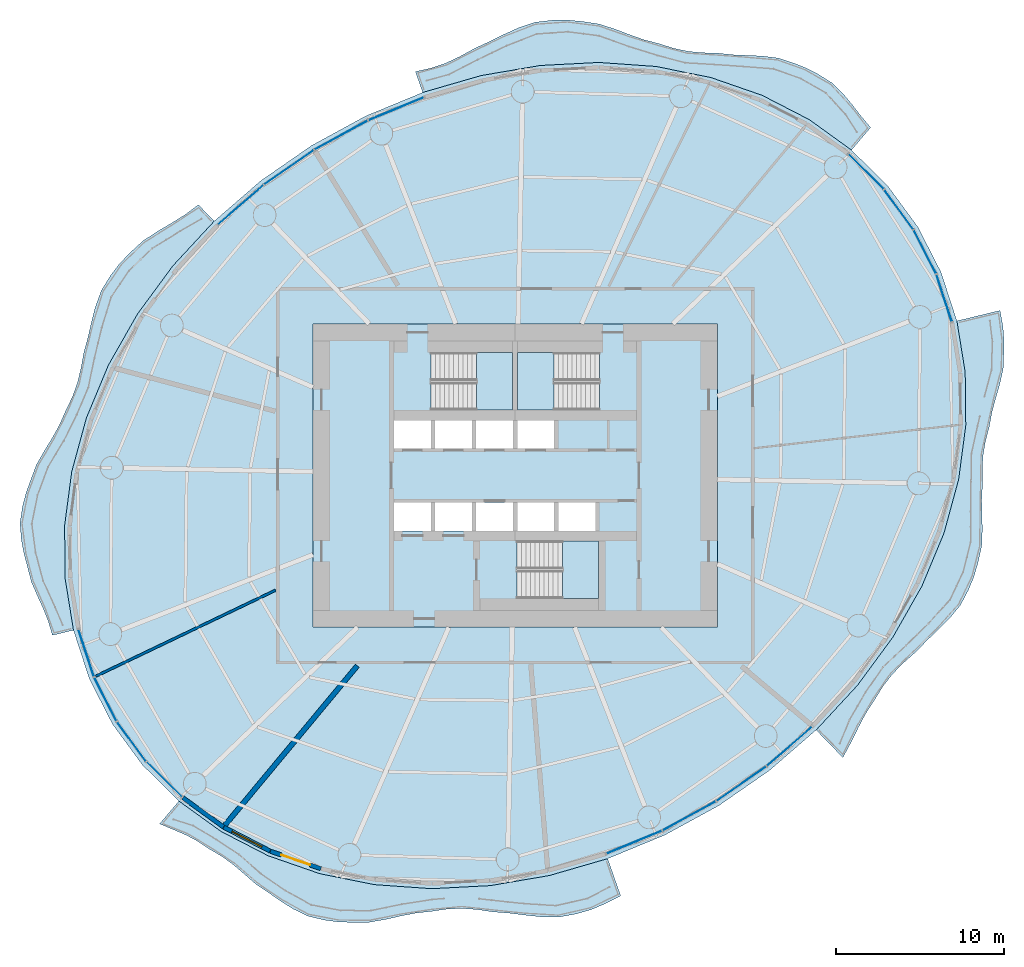
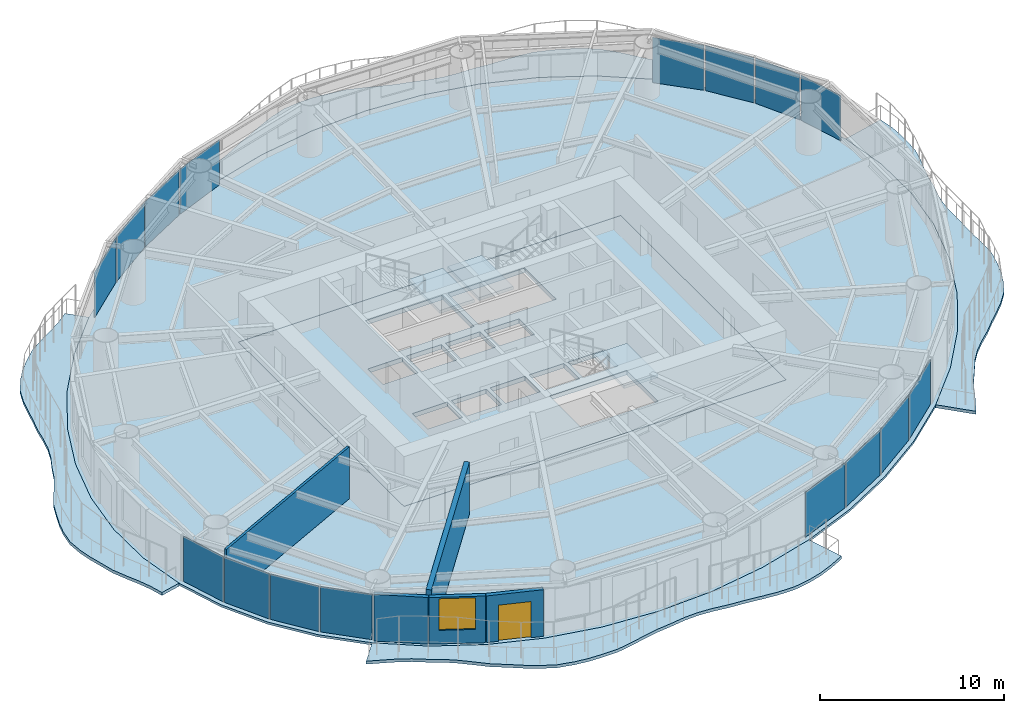
# One storey, part 7 of 15: 16 plates, 9 slabs, 5 walls, 1 door, 1 window, 2 openings, 19 elements without a shape of their own.
"""IFC4 building model written with IfcOpenShell, lengths in metres."""

from ifc_helpers import new_model, si_unit, direction, frame, frame_2d, origin, origin_2d, place, context, subcontext, project, spatial, polyline, rectangle, outline, extrude, material, layer, layer_set, type_object, element, fill, aggregate, save


model = new_model("IFC4")

# Units and contexts
model_context = context("Model", 3, precision=1e-05, world=origin(), true_north=direction((0.0, 1.0)))
body_context = subcontext(model_context, "Body", "Model", "MODEL_VIEW")
ifc_project = project(units=[si_unit("LENGTHUNIT", "METRE"), si_unit("AREAUNIT", "SQUARE_METRE"), si_unit("VOLUMEUNIT", "CUBIC_METRE"), si_unit("PLANEANGLEUNIT", "RADIAN"), si_unit("MASSUNIT", "GRAM", prefix="KILO")], contexts=[model_context])

# Site, building, storey
site_placement = place(None, origin())
site = spatial("IfcSite", under=ifc_project, at=site_placement, CompositionType="ELEMENT")
building_placement = place(site_placement, origin())
building = spatial("IfcBuilding", under=site, at=building_placement, Name="Vermilion Reach Broadcast Tower", CompositionType="ELEMENT")
storey_placement = place(building_placement, frame((0.0, 0.0, 161.39990234375)))
storey = spatial("IfcBuildingStorey", under=building, at=storey_placement, Name="L38", CompositionType="ELEMENT", Elevation=161.39990234375)

# Slabs
ifc_material_1 = material(Name="Concrete C40/50", Category="concrete")
ifc_layer_1 = layer(ifc_material_1, 0.199951171875)
ifc_layer_set_1 = layer_set([ifc_layer_1], Name="Balcony slab 200")
slab_type_1 = type_object("IfcSlabType", Name="Balcony slab 200", PredefinedType="FLOOR", material=ifc_layer_set_1)
placement_1 = place(storey_placement, frame((0.0, 0.0, -0.199951171875)))
element("IfcSlab", 1, at=placement_1, inside=storey, type_object=slab_type_1, Name="Balcony slab L38 group 1", PredefinedType="FLOOR", context=body_context, shape_type="SweptSolid", body=[
    extrude(outline(polyline([(13.969970703125, 19.327880859375), (11.466552734375, 21.134765625), (8.6640625, 22.579833984375), (5.61083984375, 23.638671875), (2.35888671875, 24.293212890625), (-1.0361328125, 24.531982421875), (-4.51611328125, 24.350830078125), (-8.021484375, 23.753173828125), (-11.4921875, 22.7490234375), (-11.926513671875, 23.990478515625), (-10.971923828125, 24.201171875), (-10.11669921875, 24.494873046875), (-9.289306640625, 24.88525390625), (-8.393310546875, 25.37646484375), (-7.46875, 25.80078125), (-6.63720703125, 26.212890625), (-5.799560546875, 26.58935546875), (-4.80126953125, 26.92236328125), (-3.78369140625, 27.041259765625), (-2.912109375, 27.052734375), (-2.035400390625, 26.969482421875), (-1.015380859375, 26.81689453125), (-0.044677734375, 26.501708984375), (0.785888671875, 26.184814453125), (1.6181640625, 25.8916015625), (2.5419921875, 25.6474609375), (3.421630859375, 25.37109375), (4.23291015625, 25.19873046875), (5.061767578125, 25.1142578125), (6.005859375, 25.08740234375), (6.9345703125, 24.990234375), (7.777099609375, 24.9541015625), (8.61962890625, 24.91748046875), (9.6142578125, 24.79638671875), (10.537109375, 24.4921875), (11.27490234375, 24.203125), (11.975830078125, 23.84228515625), (12.8095703125, 23.322021484375), (13.503662109375, 22.638671875), (14.0126953125, 22.02490234375), (14.50439453125, 21.387451171875), (15.10400390625, 20.66748046875), (13.969970703125, 19.327880859375)])), origin(), (0.0, 0.0, 1.0), 0.199951171875),
])
element("IfcSlab", 2, at=placement_1, inside=storey, type_object=slab_type_1, Name="Balcony slab L38 group 2", PredefinedType="FLOOR", context=body_context, shape_type="SweptSolid", body=[
    extrude(outline(polyline([(-23.87158203125, 15.109375), (-26.3251953125, 12.457275390625), (-28.43115234375, 9.59228515625), (-30.1533203125, 6.562744140625), (-31.462158203125, 3.421142578125), (-32.33544921875, 0.220947265625), (-32.758056640625, -2.98291015625), (-32.72265625, -6.1357421875), (-32.230224609375, -9.18359375), (-33.482177734375, -9.48681640625), (-33.728515625, -8.643798828125), (-34.020751953125, -7.9091796875), (-34.35595703125, -7.181640625), (-34.73388671875, -6.30859375), (-34.975830078125, -5.37255859375), (-35.181396484375, -4.586669921875), (-35.32958984375, -3.800048828125), (-35.406005859375, -2.82373046875), (-35.25830078125, -1.838134765625), (-35.052734375, -1.05029296875), (-34.7763671875, -0.27197265625), (-34.431884765625, 0.643310546875), (-33.933349609375, 1.5166015625), (-33.481201171875, 2.2529296875), (-33.06787109375, 2.999755859375), (-32.696533203125, 3.8447265625), (-32.288818359375, 4.6875), (-32.00146484375, 5.489501953125), (-31.796875, 6.325927734375), (-31.61962890625, 7.28173828125), (-31.3603515625, 8.251220703125), (-31.15869140625, 9.138671875), (-30.9326171875, 10.01220703125), (-30.5791015625, 10.9853515625), (-30.03466796875, 11.8740234375), (-29.495849609375, 12.581298828125), (-28.875732421875, 13.228759765625), (-28.111328125, 13.93212890625), (-27.219970703125, 14.515869140625), (-26.405517578125, 14.992919921875), (-25.6103515625, 15.487548828125), (-24.8115234375, 16.080078125), (-23.87158203125, 15.109375)])), origin(), (0.0, 0.0, 1.0), 0.199951171875),
])
element("IfcSlab", 3, at=placement_1, inside=storey, type_object=slab_type_1, Name="Balcony slab L38 group 3", PredefinedType="FLOOR", context=body_context, shape_type="SweptSolid", body=[
    extrude(outline(polyline([(-25.969970703125, -19.327880859375), (-23.466552734375, -21.134765625), (-20.6640625, -22.579833984375), (-17.61083984375, -23.638671875), (-14.35888671875, -24.293212890625), (-10.9638671875, -24.531982421875), (-7.48388671875, -24.350830078125), (-3.978515625, -23.753173828125), (-0.5078125, -22.7490234375), (0.2666015625, -24.962890625), (-0.671142578125, -25.434814453125), (-1.51025390625, -25.784912109375), (-2.37841796875, -26.03369140625), (-3.4130859375, -26.220947265625), (-4.46240234375, -26.204833984375), (-5.380615234375, -26.108154296875), (-6.30224609375, -25.991455078125), (-7.31103515625, -25.909912109375), (-8.2822265625, -25.7705078125), (-9.157958984375, -25.7080078125), (-10.028564453125, -25.74267578125), (-10.97607421875, -25.88037109375), (-11.9189453125, -25.984130859375), (-12.78369140625, -26.152587890625), (-13.650390625, -26.34912109375), (-14.660888671875, -26.5283203125), (-15.656005859375, -26.53662109375), (-16.49658203125, -26.509033203125), (-17.3203125, -26.399658203125), (-18.300048828125, -26.166748046875), (-19.192138671875, -25.7333984375), (-19.895263671875, -25.29443359375), (-20.58349609375, -24.813232421875), (-21.39013671875, -24.273681640625), (-22.103515625, -23.651123046875), (-22.71826171875, -23.123779296875), (-23.361572265625, -22.651123046875), (-24.12255859375, -22.203369140625), (-24.84228515625, -21.722412109375), (-25.530517578125, -21.35693359375), (-26.255615234375, -21.04248046875), (-27.11767578125, -20.683837890625), (-25.969970703125, -19.327880859375)])), origin(), (0.0, 0.0, 1.0), 0.199951171875),
])
element("IfcSlab", 4, at=placement_1, inside=storey, type_object=slab_type_1, Name="Balcony slab L38 group 4", PredefinedType="FLOOR", context=body_context, shape_type="SweptSolid", body=[
    extrude(outline(polyline([(11.87158203125, -15.109375), (14.3251953125, -12.457275390625), (16.43115234375, -9.59228515625), (18.1533203125, -6.562744140625), (19.462158203125, -3.421142578125), (20.33544921875, -0.220947265625), (20.758056640625, 2.98291015625), (20.72265625, 6.1357421875), (20.230224609375, 9.18359375), (22.794921875, 9.804443359375), (22.9658203125, 8.84375), (23.027099609375, 8.07177734375), (23.017822265625, 7.28857421875), (22.980224609375, 6.32958984375), (22.76123046875, 5.370361328125), (22.53076171875, 4.579345703125), (22.319091796875, 3.78857421875), (22.153076171875, 2.899169921875), (21.922607421875, 2.014404296875), (21.786865234375, 1.21728515625), (21.736328125, 0.4091796875), (21.75146484375, -0.50634765625), (21.703369140625, -1.453857421875), (21.71923828125, -2.31787109375), (21.742919921875, -3.183837890625), (21.703125, -4.190185546875), (21.48046875, -5.183837890625), (21.24169921875, -6.006103515625), (20.916748046875, -6.79248046875), (20.445068359375, -7.6865234375), (19.78271484375, -8.4912109375), (19.1455078125, -9.131103515625), (18.485595703125, -9.758056640625), (17.789306640625, -10.472900390625), (17.039306640625, -11.142333984375), (16.41015625, -11.783203125), (15.861083984375, -12.483154296875), (15.351318359375, -13.3046875), (14.812744140625, -14.138916015625), (14.375732421875, -14.96533203125), (13.96240234375, -15.813232421875), (13.45703125, -16.74658203125), (11.87158203125, -15.109375)])), origin(), (0.0, 0.0, 1.0), 0.199951171875),
])
ifc_material_2 = material(Name="Concrete C40", Category="concrete")
ifc_layer_2 = layer(ifc_material_2, 0.300048828125)
ifc_layer_set_2 = layer_set([ifc_layer_2], Name="Core floor slab 300 mm Concrete C40")
slab_type_2 = type_object("IfcSlabType", Name="Core floor slab 300 mm Concrete C40", PredefinedType="FLOOR", material=ifc_layer_set_2)
slab_5_placement = place(storey_placement, frame((0.0, 0.0, -0.2998046875)))
element("IfcSlab", 5, at=slab_5_placement, inside=storey, type_object=slab_type_2, Name="L38 core floor", PredefinedType="FLOOR", context=body_context, shape_type="SweptSolid", body=[
    extrude(outline(polyline([(-18.0, -9.0), (6.0, -9.0), (6.0, 9.0), (-18.0, 9.0), (-18.0, -9.0)]), holes=[polyline([(-13.199951171875, 1.60009765625), (-11.00830078125, 1.60009765625), (-11.00830078125, 3.280029296875), (-13.199951171875, 3.280029296875), (-13.199951171875, 1.60009765625)]), polyline([(-10.75830078125, 1.60009765625), (-8.566650390625, 1.60009765625), (-8.566650390625, 3.280029296875), (-10.75830078125, 3.280029296875), (-10.75830078125, 1.60009765625)]), polyline([(-8.316650390625, 1.60009765625), (-6.125, 1.60009765625), (-6.125, 3.280029296875), (-8.316650390625, 3.280029296875), (-8.316650390625, 1.60009765625)]), polyline([(-5.875, 1.60009765625), (-3.683349609375, 1.60009765625), (-3.683349609375, 3.280029296875), (-5.875, 3.280029296875), (-5.875, 1.60009765625)]), polyline([(-13.199951171875, -3.280029296875), (-11.00830078125, -3.280029296875), (-11.00830078125, -1.60009765625), (-13.199951171875, -1.60009765625), (-13.199951171875, -3.280029296875)]), polyline([(-10.75830078125, -3.280029296875), (-8.566650390625, -3.280029296875), (-8.566650390625, -1.60009765625), (-10.75830078125, -1.60009765625), (-10.75830078125, -3.280029296875)]), polyline([(-8.316650390625, -3.280029296875), (-6.125, -3.280029296875), (-6.125, -1.60009765625), (-8.316650390625, -1.60009765625), (-8.316650390625, -3.280029296875)]), polyline([(-5.875, -3.280029296875), (-3.683349609375, -3.280029296875), (-3.683349609375, -1.60009765625), (-5.875, -1.60009765625), (-5.875, -3.280029296875)]), polyline([(-3.433349609375, -3.280029296875), (-1.24169921875, -3.280029296875), (-1.24169921875, -1.60009765625), (-3.433349609375, -1.60009765625), (-3.433349609375, -3.280029296875)]), polyline([(-10.999267578125, 3.8798828125), (-6.14990234375, 3.8798828125), (-6.14990234375, 7.300048828125), (-10.999267578125, 7.300048828125), (-10.999267578125, 3.8798828125)]), polyline([(-1.000732421875, 7.300048828125), (-5.85009765625, 7.300048828125), (-5.85009765625, 3.8798828125), (-1.000732421875, 3.8798828125), (-1.000732421875, 7.300048828125)]), polyline([(-5.8994140625, -7.300048828125), (-1.050048828125, -7.300048828125), (-1.050048828125, -3.8798828125), (-5.8994140625, -3.8798828125), (-5.8994140625, -7.300048828125)])]), origin(), (0.0, 0.0, 1.0), 0.2998046875),
])

# Stair, slab
ifc_material_3 = material(Name="Concrete C40", Category="concrete")
stair_type = type_object("IfcStairType", Name="Exit stair RC 22 risers 164 mm", PredefinedType="HALF_TURN_STAIR", material=ifc_material_3)
placement_2 = place(storey_placement, origin())
stair_1 = element("IfcStair", 6, at=placement_2, inside=storey, type_object=stair_type, Name="L38 Exit stair ST1", PredefinedType="HALF_TURN_STAIR")
ifc_material_4 = material(Name="Concrete C40", Category="concrete")
ifc_layer_3 = layer(ifc_material_4, 0.199951171875)
ifc_layer_set_3 = layer_set([ifc_layer_3], Name="Exit stair landing Concrete C40")
slab_type_3 = type_object("IfcSlabType", Name="Exit stair landing Concrete C40", PredefinedType="LANDING", material=ifc_layer_set_3)
placement_3 = place(storey_placement, frame((0.0, 0.0, 1.60009765625)))
slab_6 = element("IfcSlab", 7, at=placement_3, type_object=slab_type_3, Name="ST1 landing 1", PredefinedType="LANDING", context=body_context, shape_type="SweptSolid", body=[
    extrude(outline(polyline([(-8.300048828125, 3.8798828125), (-6.14990234375, 3.8798828125), (-6.14990234375, 7.300048828125), (-8.300048828125, 7.300048828125), (-8.300048828125, 3.8798828125)])), origin(), (0.0, 0.0, 1.0), 0.199951171875),
])
aggregate(stair_1, [slab_6])

stair_2 = element("IfcStair", 8, at=placement_2, inside=storey, type_object=stair_type, Name="L38 Exit stair ST2", PredefinedType="HALF_TURN_STAIR")
slab_7 = element("IfcSlab", 9, at=placement_3, type_object=slab_type_3, Name="ST2 landing 1", PredefinedType="LANDING", context=body_context, shape_type="SweptSolid", body=[
    extrude(outline(polyline([(-3.699951171875, 7.300048828125), (-5.85009765625, 7.300048828125), (-5.85009765625, 3.8798828125), (-3.699951171875, 3.8798828125), (-3.699951171875, 7.300048828125)])), origin(), (0.0, 0.0, 1.0), 0.199951171875),
])
aggregate(stair_2, [slab_7])

stair_3 = element("IfcStair", 10, at=placement_2, inside=storey, type_object=stair_type, Name="L38 Exit stair ST3", PredefinedType="HALF_TURN_STAIR")
slab_8 = element("IfcSlab", 11, at=placement_3, type_object=slab_type_3, Name="ST3 landing 1", PredefinedType="LANDING", context=body_context, shape_type="SweptSolid", body=[
    extrude(outline(polyline([(-3.199951171875, -7.300048828125), (-1.050048828125, -7.300048828125), (-1.050048828125, -3.8798828125), (-3.199951171875, -3.8798828125), (-3.199951171875, -7.300048828125)])), origin(), (0.0, 0.0, 1.0), 0.199951171875),
])
aggregate(stair_3, [slab_8])

# Slab
ifc_material_5 = material(Name="Concrete C40", Category="concrete")
ifc_layer_4 = layer(ifc_material_5, 0.14990234375)
ifc_layer_set_4 = layer_set([ifc_layer_4], Name="Floor slab Concrete C40 composite 150")
slab_type_4 = type_object("IfcSlabType", Name="Floor slab Concrete C40 composite 150", PredefinedType="FLOOR", material=ifc_layer_set_4)
slab_9_placement = place(storey_placement, frame((0.0, 0.0, -0.14990234375)))
element("IfcSlab", 12, at=slab_9_placement, inside=storey, type_object=slab_type_4, Name="Floor slab L38", PredefinedType="FLOOR", context=body_context, shape_type="SweptSolid", body=[
    extrude(outline(polyline([(17.9150390625, 14.7587890625), (16.1318359375, 17.1904296875), (13.969970703125, 19.327880859375), (11.466552734375, 21.134765625), (8.6640625, 22.579833984375), (5.61083984375, 23.638671875), (2.35888671875, 24.293212890625), (-1.0361328125, 24.531982421875), (-4.51611328125, 24.350830078125), (-8.021484375, 23.753173828125), (-11.4921875, 22.7490234375), (-14.868896484375, 21.355712890625), (-18.093994140625, 19.596923828125), (-21.112060546875, 17.5029296875), (-23.87158203125, 15.109375), (-26.3251953125, 12.457275390625), (-28.43115234375, 9.59228515625), (-30.1533203125, 6.562744140625), (-31.462158203125, 3.421142578125), (-32.33544921875, 0.220947265625), (-32.758056640625, -2.98291015625), (-32.72265625, -6.1357421875), (-32.230224609375, -9.18359375), (-31.2890625, -12.074462890625), (-29.9150390625, -14.7587890625), (-28.1318359375, -17.1904296875), (-25.969970703125, -19.327880859375), (-23.466552734375, -21.134765625), (-20.6640625, -22.579833984375), (-17.61083984375, -23.638671875), (-14.35888671875, -24.293212890625), (-10.9638671875, -24.531982421875), (-7.48388671875, -24.350830078125), (-3.978515625, -23.753173828125), (-0.5078125, -22.7490234375), (2.868896484375, -21.355712890625), (6.093994140625, -19.596923828125), (9.112060546875, -17.5029296875), (11.87158203125, -15.109375), (14.3251953125, -12.457275390625), (16.43115234375, -9.59228515625), (18.1533203125, -6.562744140625), (19.462158203125, -3.421142578125), (20.33544921875, -0.220947265625), (20.758056640625, 2.98291015625), (20.72265625, 6.1357421875), (20.230224609375, 9.18359375), (19.2890625, 12.074462890625), (17.9150390625, 14.7587890625)]), holes=[polyline([(-18.0, -9.0), (6.0, -9.0), (6.0, 9.0), (-18.0, 9.0), (-18.0, -9.0)])]), origin(), (0.0, 0.0, 1.0), 0.14990234375),
])

# Curtain wall, plate
ifc_material_6 = material(Name="Low-e laminated clear glass in aluminium frame", Category="aluminium")
curtain_wall_type = type_object("IfcCurtainWallType", Name="Slot curtain wall", PredefinedType="NOTDEFINED", material=ifc_material_6)
curtain_wall_1 = element("IfcCurtainWall", 13, at=placement_2, inside=storey, type_object=curtain_wall_type, Name="Slot curtain wall L38 46", PredefinedType="NOTDEFINED")
ifc_material_7 = material(Name="Low-e laminated clear glass", Category="glass")
ifc_layer_5 = layer(ifc_material_7, 0.028076171875)
ifc_layer_set_5 = layer_set([ifc_layer_5], Name="Slot glass panel")
plate_type = type_object("IfcPlateType", Name="Slot glass panel", PredefinedType="CURTAIN_PANEL", material=ifc_layer_set_5)
plate_1_placement = place(storey_placement, frame((19.475341796875, 10.536376953125, 0.0), z_axis=(0.0, 0.0, 1.0), x_axis=(-0.30960588569, 0.950864972299, 0.0)))
plate_1 = element("IfcPlate", 14, at=plate_1_placement, type_object=plate_type, Name="Slot glass panel L38 46", PredefinedType="CURTAIN_PANEL", context=body_context, shape_type="SweptSolid", body=[
    extrude(rectangle(XDim=2.9130859375, YDim=0.028076171875, at=origin_2d()), origin(), (0.0, 0.0, 1.0), 3.0),
])
aggregate(curtain_wall_1, [plate_1])

curtain_wall_2 = element("IfcCurtainWall", 15, at=placement_2, inside=storey, type_object=curtain_wall_type, Name="Slot curtain wall L38 47", PredefinedType="NOTDEFINED")
plate_2_placement = place(storey_placement, frame((18.3359375, 13.2802734375, 0.0), z_axis=(0.0, 0.0, 1.0), x_axis=(-0.45564994908, 0.890159044162, 0.0)))
plate_2 = element("IfcPlate", 16, at=plate_2_placement, type_object=plate_type, Name="Slot glass panel L38 47", PredefinedType="CURTAIN_PANEL", context=body_context, shape_type="SweptSolid", body=[
    extrude(rectangle(XDim=2.8876953125, YDim=0.028076171875, at=origin_2d()), origin(), (0.0, 0.0, 1.0), 3.0),
])
aggregate(curtain_wall_2, [plate_2])

curtain_wall_3 = element("IfcCurtainWall", 17, at=placement_2, inside=storey, type_object=curtain_wall_type, Name="Slot curtain wall L38 00", PredefinedType="NOTDEFINED")
plate_3_placement = place(storey_placement, frame((16.7822265625, 15.797607421875, 0.0), z_axis=(0.0, 0.0, 1.0), x_axis=(-0.591355117726, 0.806411262781, 0.0)))
plate_3 = element("IfcPlate", 18, at=plate_3_placement, type_object=plate_type, Name="Slot glass panel L38 00", PredefinedType="CURTAIN_PANEL", context=body_context, shape_type="SweptSolid", body=[
    extrude(rectangle(XDim=2.8876953125, YDim=0.028076171875, at=origin_2d()), origin(), (0.0, 0.0, 1.0), 3.0),
])
aggregate(curtain_wall_3, [plate_3])

curtain_wall_4 = element("IfcCurtainWall", 19, at=placement_2, inside=storey, type_object=curtain_wall_type, Name="Slot curtain wall L38 01", PredefinedType="NOTDEFINED")
plate_4_placement = place(storey_placement, frame((14.840576171875, 18.046630859375, 0.0), z_axis=(0.0, 0.0, 1.0), x_axis=(-0.711100683979, 0.703090191401, 0.0)))
plate_4 = element("IfcPlate", 20, at=plate_4_placement, type_object=plate_type, Name="Slot glass panel L38 01", PredefinedType="CURTAIN_PANEL", context=body_context, shape_type="SweptSolid", body=[
    extrude(rectangle(XDim=2.9130859375, YDim=0.028076171875, at=origin_2d()), origin(), (0.0, 0.0, 1.0), 3.0),
])
aggregate(curtain_wall_4, [plate_4])

curtain_wall_5 = element("IfcCurtainWall", 21, at=placement_2, inside=storey, type_object=curtain_wall_type, Name="Slot curtain wall L38 10", PredefinedType="NOTDEFINED")
plate_5_placement = place(storey_placement, frame((-13.06640625, 21.775390625, 0.0), z_axis=(0.0, 0.0, 1.0), x_axis=(-0.924396667372, -0.381432564619, 0.0)))
plate_5 = element("IfcPlate", 22, at=plate_5_placement, type_object=plate_type, Name="Slot glass panel L38 10", PredefinedType="CURTAIN_PANEL", context=body_context, shape_type="SweptSolid", body=[
    extrude(rectangle(XDim=3.540283203125, YDim=0.028076171875, at=origin_2d()), origin(), (0.0, 0.0, 1.0), 3.0),
])
aggregate(curtain_wall_5, [plate_5])

curtain_wall_6 = element("IfcCurtainWall", 23, at=placement_2, inside=storey, type_object=curtain_wall_type, Name="Slot curtain wall L38 11", PredefinedType="NOTDEFINED")
plate_6_placement = place(storey_placement, frame((-16.337890625, 20.21337890625, 0.0), z_axis=(0.0, 0.0, 1.0), x_axis=(-0.877935505986, -0.478778912786, 0.0)))
plate_6 = element("IfcPlate", 24, at=plate_6_placement, type_object=plate_type, Name="Slot glass panel L38 11", PredefinedType="CURTAIN_PANEL", context=body_context, shape_type="SweptSolid", body=[
    extrude(rectangle(XDim=3.561279296875, YDim=0.028076171875, at=origin_2d()), origin(), (0.0, 0.0, 1.0), 3.0),
])
aggregate(curtain_wall_6, [plate_6])

curtain_wall_7 = element("IfcCurtainWall", 25, at=placement_2, inside=storey, type_object=curtain_wall_type, Name="Slot curtain wall L38 12", PredefinedType="NOTDEFINED")
plate_7_placement = place(storey_placement, frame((-19.43212890625, 18.303955078125, 0.0), z_axis=(0.0, 0.0, 1.0), x_axis=(-0.821603885198, -0.570058817867, 0.0)))
plate_7 = element("IfcPlate", 26, at=plate_7_placement, type_object=plate_type, Name="Slot glass panel L38 12", PredefinedType="CURTAIN_PANEL", context=body_context, shape_type="SweptSolid", body=[
    extrude(rectangle(XDim=3.561279296875, YDim=0.028076171875, at=origin_2d()), origin(), (0.0, 0.0, 1.0), 3.0),
])
aggregate(curtain_wall_7, [plate_7])

curtain_wall_8 = element("IfcCurtainWall", 27, at=placement_2, inside=storey, type_object=curtain_wall_type, Name="Slot curtain wall L38 13", PredefinedType="NOTDEFINED")
plate_8_placement = place(storey_placement, frame((-22.29541015625, 16.079833984375, 0.0), z_axis=(0.0, 0.0, 1.0), x_axis=(-0.75542425663, -0.655235982295, 0.0)))
plate_8 = element("IfcPlate", 28, at=plate_8_placement, type_object=plate_type, Name="Slot glass panel L38 13", PredefinedType="CURTAIN_PANEL", context=body_context, shape_type="SweptSolid", body=[
    extrude(rectangle(XDim=3.540283203125, YDim=0.028076171875, at=origin_2d()), origin(), (0.0, 0.0, 1.0), 3.0),
])
aggregate(curtain_wall_8, [plate_8])

curtain_wall_9 = element("IfcCurtainWall", 29, at=placement_2, inside=storey, type_object=curtain_wall_type, Name="Slot curtain wall L38 22", PredefinedType="NOTDEFINED")
plate_9_placement = place(storey_placement, frame((-31.475341796875, -10.536376953125, 0.0), z_axis=(0.0, 0.0, 1.0), x_axis=(0.30960588569, -0.950864972299, 0.0)))
plate_9 = element("IfcPlate", 30, at=plate_9_placement, type_object=plate_type, Name="Slot glass panel L38 22", PredefinedType="CURTAIN_PANEL", context=body_context, shape_type="SweptSolid", body=[
    extrude(rectangle(XDim=2.9130859375, YDim=0.028076171875, at=origin_2d()), origin(), (0.0, 0.0, 1.0), 3.0),
])
aggregate(curtain_wall_9, [plate_9])

curtain_wall_10 = element("IfcCurtainWall", 31, at=placement_2, inside=storey, type_object=curtain_wall_type, Name="Slot curtain wall L38 23", PredefinedType="NOTDEFINED")
plate_10_placement = place(storey_placement, frame((-30.3359375, -13.2802734375, 0.0), z_axis=(0.0, 0.0, 1.0), x_axis=(0.45564994908, -0.890159044162, 0.0)))
plate_10 = element("IfcPlate", 32, at=plate_10_placement, type_object=plate_type, Name="Slot glass panel L38 23", PredefinedType="CURTAIN_PANEL", context=body_context, shape_type="SweptSolid", body=[
    extrude(rectangle(XDim=2.8876953125, YDim=0.028076171875, at=origin_2d()), origin(), (0.0, 0.0, 1.0), 3.0),
])
aggregate(curtain_wall_10, [plate_10])

curtain_wall_11 = element("IfcCurtainWall", 33, at=placement_2, inside=storey, type_object=curtain_wall_type, Name="Slot curtain wall L38 24", PredefinedType="NOTDEFINED")
plate_11_placement = place(storey_placement, frame((-28.7822265625, -15.797607421875, 0.0), z_axis=(0.0, 0.0, 1.0), x_axis=(0.591355117726, -0.806411262781, 0.0)))
plate_11 = element("IfcPlate", 34, at=plate_11_placement, type_object=plate_type, Name="Slot glass panel L38 24", PredefinedType="CURTAIN_PANEL", context=body_context, shape_type="SweptSolid", body=[
    extrude(rectangle(XDim=2.8876953125, YDim=0.028076171875, at=origin_2d()), origin(), (0.0, 0.0, 1.0), 3.0),
])
aggregate(curtain_wall_11, [plate_11])

curtain_wall_12 = element("IfcCurtainWall", 35, at=placement_2, inside=storey, type_object=curtain_wall_type, Name="Slot curtain wall L38 25", PredefinedType="NOTDEFINED")
plate_12_placement = place(storey_placement, frame((-26.840576171875, -18.046630859375, 0.0), z_axis=(0.0, 0.0, 1.0), x_axis=(0.711100683979, -0.703090191401, 0.0)))
plate_12 = element("IfcPlate", 36, at=plate_12_placement, type_object=plate_type, Name="Slot glass panel L38 25", PredefinedType="CURTAIN_PANEL", context=body_context, shape_type="SweptSolid", body=[
    extrude(rectangle(XDim=2.9130859375, YDim=0.028076171875, at=origin_2d()), origin(), (0.0, 0.0, 1.0), 3.0),
])
aggregate(curtain_wall_12, [plate_12])

curtain_wall_13 = element("IfcCurtainWall", 37, at=placement_2, inside=storey, type_object=curtain_wall_type, Name="Slot curtain wall L38 34", PredefinedType="NOTDEFINED")
plate_13_placement = place(storey_placement, frame((1.06640625, -21.775390625, 0.0), z_axis=(0.0, 0.0, 1.0), x_axis=(0.924396667372, 0.381432564619, 0.0)))
plate_13 = element("IfcPlate", 38, at=plate_13_placement, type_object=plate_type, Name="Slot glass panel L38 34", PredefinedType="CURTAIN_PANEL", context=body_context, shape_type="SweptSolid", body=[
    extrude(rectangle(XDim=3.540283203125, YDim=0.028076171875, at=origin_2d()), origin(), (0.0, 0.0, 1.0), 3.0),
])
aggregate(curtain_wall_13, [plate_13])

curtain_wall_14 = element("IfcCurtainWall", 39, at=placement_2, inside=storey, type_object=curtain_wall_type, Name="Slot curtain wall L38 35", PredefinedType="NOTDEFINED")
plate_14_placement = place(storey_placement, frame((4.337890625, -20.21337890625, 0.0), z_axis=(0.0, 0.0, 1.0), x_axis=(0.877935505986, 0.478778912786, 0.0)))
plate_14 = element("IfcPlate", 40, at=plate_14_placement, type_object=plate_type, Name="Slot glass panel L38 35", PredefinedType="CURTAIN_PANEL", context=body_context, shape_type="SweptSolid", body=[
    extrude(rectangle(XDim=3.561279296875, YDim=0.028076171875, at=origin_2d()), origin(), (0.0, 0.0, 1.0), 3.0),
])
aggregate(curtain_wall_14, [plate_14])

curtain_wall_15 = element("IfcCurtainWall", 41, at=placement_2, inside=storey, type_object=curtain_wall_type, Name="Slot curtain wall L38 36", PredefinedType="NOTDEFINED")
plate_15_placement = place(storey_placement, frame((7.43212890625, -18.303955078125, 0.0), z_axis=(0.0, 0.0, 1.0), x_axis=(0.821603885198, 0.570058817867, 0.0)))
plate_15 = element("IfcPlate", 42, at=plate_15_placement, type_object=plate_type, Name="Slot glass panel L38 36", PredefinedType="CURTAIN_PANEL", context=body_context, shape_type="SweptSolid", body=[
    extrude(rectangle(XDim=3.561279296875, YDim=0.028076171875, at=origin_2d()), origin(), (0.0, 0.0, 1.0), 3.0),
])
aggregate(curtain_wall_15, [plate_15])

curtain_wall_16 = element("IfcCurtainWall", 43, at=placement_2, inside=storey, type_object=curtain_wall_type, Name="Slot curtain wall L38 37", PredefinedType="NOTDEFINED")
plate_16_placement = place(storey_placement, frame((10.29541015625, -16.079833984375, 0.0), z_axis=(0.0, 0.0, 1.0), x_axis=(0.75542425663, 0.655235982295, 0.0)))
plate_16 = element("IfcPlate", 44, at=plate_16_placement, type_object=plate_type, Name="Slot glass panel L38 37", PredefinedType="CURTAIN_PANEL", context=body_context, shape_type="SweptSolid", body=[
    extrude(rectangle(XDim=3.540283203125, YDim=0.028076171875, at=origin_2d()), origin(), (0.0, 0.0, 1.0), 3.0),
])
aggregate(curtain_wall_16, [plate_16])

# Walls
ifc_material_8 = material(Name="Lightweight concrete block, plastered", Category="concrete")
ifc_layer_6 = layer(ifc_material_8, 0.14990234375)
ifc_layer_set_6 = layer_set([ifc_layer_6], Name="Partition 150 lightweight block")
wall_type_1 = type_object("IfcWallType", Name="Partition 150 lightweight block", PredefinedType="PARTITIONING", material=ifc_layer_set_6)
wall_1_placement = place(storey_placement, frame((-30.896484375, -11.911376953125, 0.0), z_axis=(0.0, 0.0, 1.0), x_axis=(0.90207340088, 0.431582644954, 0.0)))
element("IfcWall", 45, at=wall_1_placement, inside=storey, type_object=wall_type_1, Name="Partition 38.05", PredefinedType="PARTITIONING", context=body_context, shape_type="SweptSolid", body=[
    extrude(rectangle(XDim=11.82177734375, YDim=0.14990234375, at=frame_2d((5.910888671875, 0.0))), origin(), (0.0, 0.0, 1.0), 3.4501953125),
])
ifc_material_9 = material(Name="Double-leaf plasterboard on isolated steel stud", Category="steel")
ifc_layer_7 = layer(ifc_material_9, 0.300048828125)
ifc_layer_set_7 = layer_set([ifc_layer_7], Name="Partition 300 acoustic double leaf")
wall_type_2 = type_object("IfcWallType", Name="Partition 300 acoustic double leaf", PredefinedType="PARTITIONING", material=ifc_layer_set_7)
wall_2_placement = place(storey_placement, frame((-23.244384765625, -20.7724609375, 0.0), z_axis=(0.0, 0.0, 1.0), x_axis=(0.638736555689, 0.769425508042, 0.0)))
element("IfcWall", 46, at=wall_2_placement, inside=storey, type_object=wall_type_2, Name="Partition 38.06", PredefinedType="PARTITIONING", context=body_context, shape_type="SweptSolid", body=[
    extrude(rectangle(XDim=12.31640625, YDim=0.300048828125, at=frame_2d((6.158203125, 0.0))), origin(), (0.0, 0.0, 1.0), 3.4501953125),
])
ifc_material_10 = material(Name="Terracotta rainscreen cladding", Category="masonry")
ifc_layer_8 = layer(ifc_material_10, 0.25)
ifc_layer_set_8 = layer_set([ifc_layer_8], Name="Terracotta rainscreen wall 250")
wall_type_3 = type_object("IfcWallType", Name="Terracotta rainscreen wall 250", PredefinedType="SOLIDWALL", material=ifc_layer_set_8)
wall_3_placement = place(storey_placement, frame((-25.731689453125, -19.130859375, 0.0), z_axis=(0.0, 0.0, 1.0), x_axis=(0.810861050922, -0.58523871719, 0.0)))
element("IfcWall", 47, at=wall_3_placement, inside=storey, type_object=wall_type_3, Name="External wall L38 26", PredefinedType="SOLIDWALL", context=body_context, shape_type="SweptSolid", body=[
    extrude(rectangle(XDim=2.9736328125, YDim=0.25, at=frame_2d((1.48681640625, 0.0))), origin(), (0.0, 0.0, 1.0), 3.10009765625),
])

# Wall, opening, window
wall_4_placement = place(storey_placement, frame((-23.2978515625, -20.885009765625, 0.0), z_axis=(0.0, 0.0, 1.0), x_axis=(0.88878300735, -0.458328229378, 0.0)))
wall_4 = element("IfcWall", 48, at=wall_4_placement, inside=storey, type_object=wall_type_3, Name="External wall L38 27", PredefinedType="SOLIDWALL", context=body_context, shape_type="SweptSolid", body=[
    extrude(rectangle(XDim=3.083251953125, YDim=0.25, at=frame_2d((1.54150390625, 0.0))), origin(), (0.0, 0.0, 1.0), 3.10009765625),
])
opening_1_placement = place(wall_4_placement, frame((0.54150390625, 0.0, 0.89990234375)))
opening_1 = element("IfcOpeningElement", 49, at=opening_1_placement, cuts=wall_4, Name="Opening W03", PredefinedType="OPENING", context=body_context, shape_type="SweptSolid", body=[
    extrude(rectangle(XDim=2.0, YDim=2.10009765625, at=frame_2d((1.0, 1.050048828125))), frame((0.0, 0.135009765625, 0.0), z_axis=(0.0, -1.0, 0.0), x_axis=(1.0, 0.0, 0.0)), (0.0, 0.0, 1.0), 0.27001953125),
])
ifc_material_11 = material(Name="Low-e laminated clear glass in aluminium frame", Category="aluminium")
window_type = type_object("IfcWindowType", Name="Punched window 2000 x 2100 sill 900", PartitioningType="SINGLE_PANEL", PredefinedType="WINDOW", material=ifc_material_11)
window_placement = place(opening_1_placement, origin())
window = element("IfcWindow", 50, at=window_placement, inside=storey, type_object=window_type, Name="Window L38 27", OverallHeight=2.10009765625, OverallWidth=2.0, PartitioningType="SINGLE_PANEL", PredefinedType="WINDOW", context=body_context, shape_type="SweptSolid", body=[
    extrude(rectangle(XDim=2.0, YDim=2.10009765625, at=frame_2d((1.0, 1.050048828125))), frame((0.0, 0.030029296875, 0.0), z_axis=(0.0, -1.0, 0.0), x_axis=(1.0, 0.0, 0.0)), (0.0, 0.0, 1.0), 0.06005859375),
])
fill(opening_1, window)

# Wall, opening, door
wall_5_placement = place(storey_placement, frame((-20.533935546875, -22.308349609375, 0.0), z_axis=(0.0, 0.0, 1.0), x_axis=(0.944803405923, -0.32763779415, 0.0)))
wall_5 = element("IfcWall", 51, at=wall_5_placement, inside=storey, type_object=wall_type_3, Name="External wall L38 28", PredefinedType="SOLIDWALL", context=body_context, shape_type="SweptSolid", body=[
    extrude(rectangle(XDim=3.16455078125, YDim=0.25, at=frame_2d((1.582275390625, 0.0))), origin(), (0.0, 0.0, 1.0), 3.10009765625),
])
opening_2_placement = place(wall_5_placement, frame((0.681884765625, 0.0, 0.0)))
opening_2 = element("IfcOpeningElement", 52, at=opening_2_placement, cuts=wall_5, Name="Opening D70", PredefinedType="OPENING", context=body_context, shape_type="SweptSolid", body=[
    extrude(rectangle(XDim=1.800048828125, YDim=2.39990234375, at=frame_2d((0.89990234375, 1.199951171875))), frame((0.0, 0.135009765625, 0.0), z_axis=(0.0, -1.0, 0.0), x_axis=(1.0, 0.0, 0.0)), (0.0, 0.0, 1.0), 0.27001953125),
])
ifc_material_12 = material(Name="Low-e laminated clear glass in aluminium frame", Category="aluminium")
door_type = type_object("IfcDoorType", Name="Balcony sliding door 1800 x 2400", OperationType="DOUBLE_DOOR_SLIDING", PredefinedType="DOOR", material=ifc_material_12)
door_placement = place(opening_2_placement, origin())
door = element("IfcDoor", 53, at=door_placement, inside=storey, type_object=door_type, Name="Balcony door L38 run 07", OperationType="DOUBLE_DOOR_SLIDING", OverallHeight=2.39990234375, OverallWidth=1.800048828125, PredefinedType="DOOR", context=body_context, shape_type="SweptSolid", body=[
    extrude(rectangle(XDim=1.800048828125, YDim=2.39990234375, at=frame_2d((0.89990234375, 1.199951171875))), frame((0.0, 0.02490234375, 0.0), z_axis=(0.0, -1.0, 0.0), x_axis=(1.0, 0.0, 0.0)), (0.0, 0.0, 1.0), 0.050048828125),
])
fill(opening_2, door)

save(model, "model.ifc")
